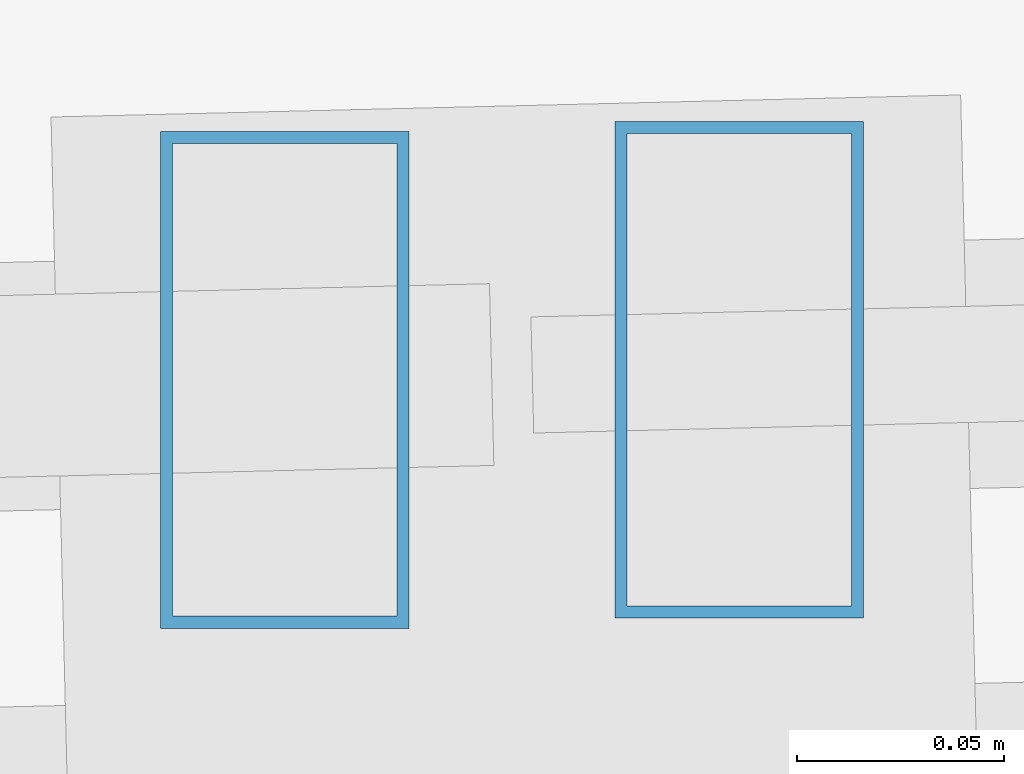
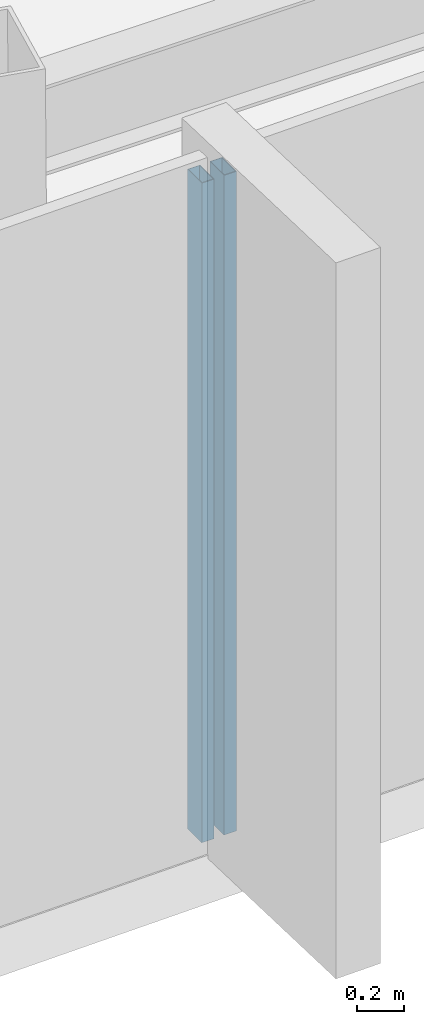
# One storey, part 15 of 48: 2 members, 2 elements without a shape of their own.
"""IFC4 building model written with IfcOpenShell, lengths in metres."""

from ifc_helpers import new_model, si_unit, direction, frame, origin, origin_2d, place, context, subcontext, project, spatial, hollow_rectangle, extrude, source, transform, mapped, material, material_profile, profile_set, type_object, type_shapes, element, aggregate, save


model = new_model("IFC4")

# Units and contexts
model_context = context("Model", 3, precision=1e-05, world=origin(), true_north=direction((0.0, 1.0)))
body_context = subcontext(model_context, "Body", "Model", "MODEL_VIEW")
ifc_project = project(units=[si_unit("LENGTHUNIT", "METRE"), si_unit("AREAUNIT", "SQUARE_METRE"), si_unit("VOLUMEUNIT", "CUBIC_METRE"), si_unit("PLANEANGLEUNIT", "RADIAN"), si_unit("MASSUNIT", "GRAM", prefix="KILO")], contexts=[model_context])

# Site, building, storey
site_placement = place(None, origin())
site = spatial("IfcSite", under=ifc_project, at=site_placement, CompositionType="ELEMENT")
building_placement = place(site_placement, origin())
building = spatial("IfcBuilding", under=site, at=building_placement, Name="Caelisora Broadcast Tower", CompositionType="ELEMENT")
storey_placement = place(building_placement, frame((0.0, 0.0, 277.300048828125)))
storey = spatial("IfcBuildingStorey", under=building, at=storey_placement, Name="L73", CompositionType="ELEMENT", Elevation=277.300048828125)

# Curtain wall, member
ifc_material_1 = material(Name="Unitised Aluminium and Low-E Glass Curtain Wall", Category="glass")
curtain_wall_type_1 = type_object("IfcCurtainWallType", Name="CW-Z5", PredefinedType="NOTDEFINED", material=ifc_material_1)
curtain_wall_1_placement = place(storey_placement, origin())
curtain_wall_1 = element("IfcCurtainWall", 1, at=curtain_wall_1_placement, inside=storey, type_object=curtain_wall_type_1, Name="L73 curtain wall CW-Z5", PredefinedType="NOTDEFINED")
ifc_material_2 = material(Name="Aluminium 6063-T6 Anodised Terracotta Bronze", Category="aluminium")
ifc_material_profile = material_profile(ifc_material_2, hollow_rectangle(XDim=0.06005859375, YDim=0.1201171875, WallThickness=0.0029296875, at=origin_2d()), Name="Aluminium 6063-T6 Anodised Terracotta Bronze")
ifc_profile_set = profile_set([ifc_material_profile], Name="Aluminium 6063-T6 Anodised Terracotta Bronze")
member_type = type_object("IfcMemberType", Name="CWM-04", PredefinedType="MULLION", material=ifc_profile_set)
shared_shape = source(origin(), body_context, "Body", "SweptSolid", [
    extrude(hollow_rectangle(XDim=0.06005859375, YDim=0.1201171875, WallThickness=0.0029296875, at=origin_2d()), origin(), (0.0, 0.0, 1.0), 3.39990234375),
])
type_shapes(member_type, [shared_shape])
member_1_placement = place(storey_placement, frame((44.675537109375, 8.837158203125, 0.0), z_axis=(0.0, 0.0, 1.0), x_axis=(1.0, 0.0, 0.0)))
member_1 = element("IfcMember", 2, at=member_1_placement, type_object=member_type, Name="L73-CW-B05 mullion #3", PredefinedType="MULLION", context=body_context, shape_type="MappedRepresentation", body=[
    mapped(shared_shape, transform((0.0, 0.0, 0.0), scale=1.0)),
])
aggregate(curtain_wall_1, [member_1])

ifc_material_3 = material(Name="Unitised Aluminium Insulated Shadow-Box Spandrel Curtain Wall", Category="aluminium")
curtain_wall_type_2 = type_object("IfcCurtainWallType", Name="CW-SP3", PredefinedType="NOTDEFINED", material=ifc_material_3)
curtain_wall_2_placement = place(storey_placement, origin())
curtain_wall_2 = element("IfcCurtainWall", 3, at=curtain_wall_2_placement, inside=storey, type_object=curtain_wall_type_2, Name="L73 curtain wall CW-SP3", PredefinedType="NOTDEFINED")
member_2_placement = place(storey_placement, frame((44.565673828125, 8.834716796875, 0.0), z_axis=(0.0, 0.0, 1.0), x_axis=(1.0, 0.0, 0.0)))
member_2 = element("IfcMember", 4, at=member_2_placement, type_object=member_type, Name="L73-CW-B06 mullion #0", PredefinedType="MULLION", context=body_context, shape_type="MappedRepresentation", body=[
    mapped(shared_shape, transform((0.0, 0.0, 0.0), scale=1.0)),
])
aggregate(curtain_wall_2, [member_2])

save(model, "model.ifc")
